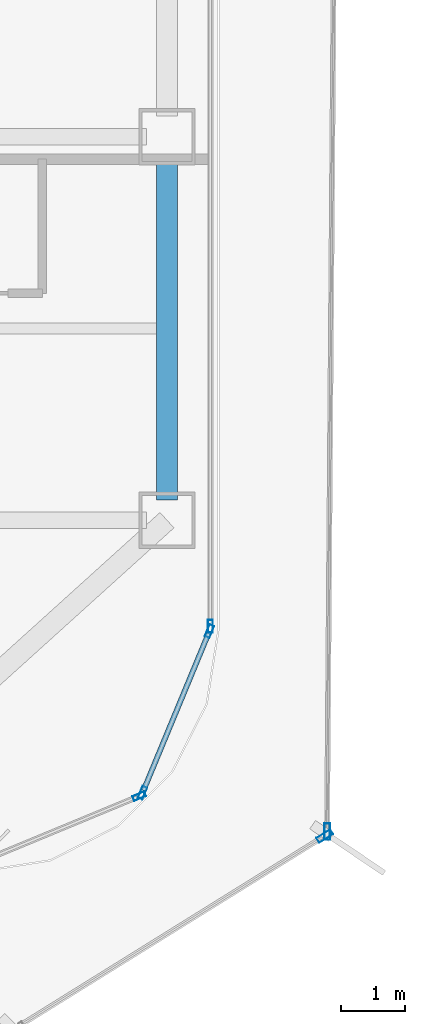
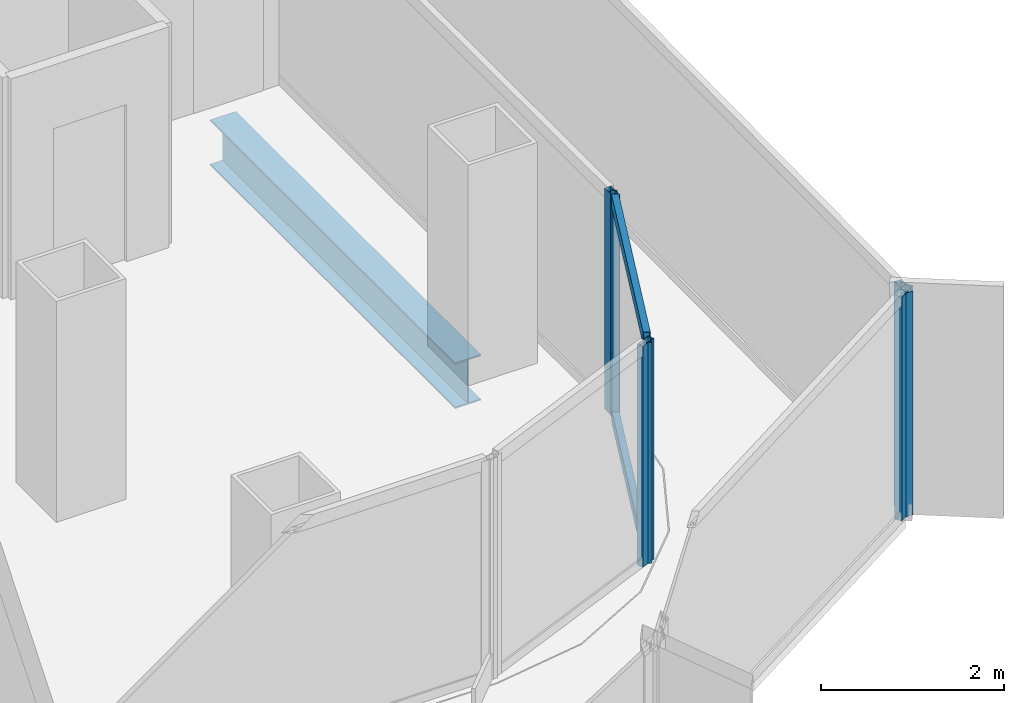
# One storey, part 8 of 21: 8 members, 1 beam, 5 elements without a shape of their own.
"""IFC4 building model written with IfcOpenShell, lengths in metres."""

from ifc_helpers import new_model, si_unit, direction, frame, origin, origin_2d, place, context, subcontext, project, spatial, hollow_rectangle, i_section, extrude, source, transform, mapped, material, layer, layer_set, material_profile, profile_set, type_object, element, aggregate, save


model = new_model("IFC4")

# Units and contexts
model_context = context("Model", 3, precision=1e-05, world=origin(), true_north=direction((0.0, 1.0)))
body_context = subcontext(model_context, "Body", "Model", "MODEL_VIEW")
ifc_project = project(units=[si_unit("LENGTHUNIT", "METRE"), si_unit("AREAUNIT", "SQUARE_METRE"), si_unit("VOLUMEUNIT", "CUBIC_METRE"), si_unit("PLANEANGLEUNIT", "RADIAN"), si_unit("MASSUNIT", "GRAM", prefix="KILO")], contexts=[model_context])

# Site, building, storey
site_placement = place(None, origin())
site = spatial("IfcSite", under=ifc_project, at=site_placement, CompositionType="ELEMENT")
building_placement = place(site_placement, origin())
building = spatial("IfcBuilding", under=site, at=building_placement, Name="Kolveth Station Tower", CompositionType="ELEMENT")
storey_placement = place(building_placement, frame((0.0, 0.0, 99.10009765625)))
storey = spatial("IfcBuildingStorey", under=building, at=storey_placement, Name="L26", CompositionType="ELEMENT", Elevation=99.10009765625)

# Beam
ifc_material_1 = material(Name="Steel S355", Category="steel")
ifc_material_profile_1 = material_profile(ifc_material_1, i_section(OverallWidth=0.323974609375, OverallDepth=0.611083984375, WebThickness=0.0126953125, FlangeThickness=0.01904296875, at=origin_2d()), Name="W610x155")
ifc_profile_set_1 = profile_set([ifc_material_profile_1], Name="Steel S355")
beam_type = type_object("IfcBeamType", Name="Beam_SP2", PredefinedType="SPANDREL", material=ifc_profile_set_1)
shared_shape_1 = source(origin(), body_context, "Body", "SweptSolid", [
    extrude(i_section(OverallWidth=0.323974609375, OverallDepth=0.611083984375, WebThickness=0.0126953125, FlangeThickness=0.01904296875, at=origin_2d()), origin(), (0.0, 0.0, 1.0), 5.35986328125),
])
beam_placement = place(storey_placement, frame((46.199951171875, 5.820068359375, -0.5556640625), z_axis=(0.0, 1.0, 0.0), x_axis=(-1.0, 0.0, 0.0)))
element("IfcBeam", 1, at=beam_placement, inside=storey, type_object=beam_type, Name="L26 Perimeter Spandrel BM-L26-PE-1", PredefinedType="SPANDREL", context=body_context, shape_type="MappedRepresentation", body=[
    mapped(shared_shape_1, transform((0.0, 0.0, 0.0), x_axis=(1.0, 0.0, 0.0), y_axis=(0.0, 1.0, 0.0), z_axis=(0.0, 0.0, 1.0), scale=1.0)),
])

# Curtain wall, member
ifc_material_2 = material(Name="Aluminium 6063-T6 and low-E dark glass", Category="aluminium")
ifc_layer_1 = layer(ifc_material_2, 0.18994140625)
ifc_layer_set_1 = layer_set([ifc_layer_1], Name="Aluminium 6063-T6 and low-E dark glass")
curtain_wall_type_1 = type_object("IfcCurtainWallType", Name="CurtainWall_CW-Z2", PredefinedType="NOTDEFINED", material=ifc_layer_set_1)
curtain_wall_1_placement = place(storey_placement, origin())
curtain_wall_1 = element("IfcCurtainWall", 2, at=curtain_wall_1_placement, inside=storey, type_object=curtain_wall_type_1, Name="L26 Inner Thermal Curtain Wall 1", PredefinedType="NOTDEFINED")
ifc_material_3 = material(Name="Black anodized aluminium 6063-T6", Category="aluminium")
ifc_material_profile_2 = material_profile(ifc_material_3, hollow_rectangle(XDim=0.080078125, YDim=0.199951171875, WallThickness=0.0048828125, at=origin_2d()), Name="ALU-80x200x5")
ifc_profile_set_2 = profile_set([ifc_material_profile_2], Name="Black anodized aluminium 6063-T6")
member_type_1 = type_object("IfcMemberType", Name="Mullion_ML2", PredefinedType="MULLION", material=ifc_profile_set_2)
shared_shape_2 = source(origin(), body_context, "Body", "SweptSolid", [
    extrude(hollow_rectangle(XDim=0.080078125, YDim=0.199951171875, WallThickness=0.0048828125, at=origin_2d()), origin(), (0.0, 0.0, 1.0), 2.949951171875),
])
member_1_placement = place(storey_placement, frame((45.76513671875, 1.182373046875, 0.0), z_axis=(0.0, 0.0, 1.0), x_axis=(-0.38266326998, 0.923887883787, 0.0)))
member_1 = element("IfcMember", 3, at=member_1_placement, type_object=member_type_1, Name="CW-Z2 mullion 2", PredefinedType="MULLION", context=body_context, shape_type="MappedRepresentation", body=[
    mapped(shared_shape_2, transform((0.0, 0.0, 0.0), x_axis=(1.0, 0.0, 0.0), y_axis=(0.0, 1.0, 0.0), z_axis=(0.0, 0.0, 1.0), scale=1.0)),
])
aggregate(curtain_wall_1, [member_1])

# Curtain wall, members
curtain_wall_2_placement = place(storey_placement, origin())
curtain_wall_2 = element("IfcCurtainWall", 4, at=curtain_wall_2_placement, inside=storey, type_object=curtain_wall_type_1, Name="L26 Inner Thermal Curtain Wall 2", PredefinedType="NOTDEFINED")
member_2_placement = place(storey_placement, frame((45.817626953125, 1.23486328125, 0.0), z_axis=(0.0, 0.0, 1.0), x_axis=(-0.923887883787, 0.38266326998, 0.0)))
member_2 = element("IfcMember", 5, at=member_2_placement, type_object=member_type_1, Name="CW-Z2 mullion 1", PredefinedType="MULLION", context=body_context, shape_type="MappedRepresentation", body=[
    mapped(shared_shape_2, transform((0.0, 0.0, 0.0), x_axis=(1.0, 0.0, 0.0), y_axis=(0.0, 1.0, 0.0), z_axis=(0.0, 0.0, 1.0), scale=1.0)),
])
member_3_placement = place(storey_placement, frame((46.86474609375, 3.762939453125, 0.0), z_axis=(0.0, 0.0, 1.0), x_axis=(-0.923887883787, 0.38266326998, 0.0)))
member_3 = element("IfcMember", 6, at=member_3_placement, type_object=member_type_1, Name="CW-Z2 mullion 2", PredefinedType="MULLION", context=body_context, shape_type="MappedRepresentation", body=[
    mapped(shared_shape_2, transform((0.0, 0.0, 0.0), x_axis=(1.0, 0.0, 0.0), y_axis=(0.0, 1.0, 0.0), z_axis=(0.0, 0.0, 1.0), scale=1.0)),
])

# Curtain wall, member
curtain_wall_3_placement = place(storey_placement, origin())
curtain_wall_3 = element("IfcCurtainWall", 7, at=curtain_wall_3_placement, inside=storey, type_object=curtain_wall_type_1, Name="L26 Inner Thermal Curtain Wall 3", PredefinedType="NOTDEFINED")
member_4_placement = place(storey_placement, frame((46.8798828125, 3.840087890625, 0.0), z_axis=(0.0, 0.0, 1.0), x_axis=(-1.0, 0.0, 0.0)))
member_4 = element("IfcMember", 8, at=member_4_placement, type_object=member_type_1, Name="CW-Z2 mullion 1", PredefinedType="MULLION", context=body_context, shape_type="MappedRepresentation", body=[
    mapped(shared_shape_2, transform((0.0, 0.0, 0.0), x_axis=(1.0, 0.0, 0.0), y_axis=(0.0, 1.0, 0.0), z_axis=(0.0, 0.0, 1.0), scale=1.0)),
])
aggregate(curtain_wall_3, [member_4])

# Member
ifc_material_profile_3 = material_profile(ifc_material_3, hollow_rectangle(XDim=0.080078125, YDim=0.169921875, WallThickness=0.0048828125, at=origin_2d()), Name="ALU-80x170x5")
ifc_profile_set_3 = profile_set([ifc_material_profile_3], Name="Black anodized aluminium 6063-T6")
member_type_2 = type_object("IfcMemberType", Name="Transom_TR2", PredefinedType="USERDEFINED", material=ifc_profile_set_3)
shared_shape_3 = source(origin(), body_context, "Body", "SweptSolid", [
    extrude(hollow_rectangle(XDim=0.080078125, YDim=0.169921875, WallThickness=0.0048828125, at=origin_2d()), origin(), (0.0, 0.0, 1.0), 2.656494140625),
])
member_5_placement = place(storey_placement, frame((45.832763671875, 1.271728515625, 0.039794921875), z_axis=(0.382676455475, 0.923882422403, 0.0), x_axis=(-0.923882422403, 0.382676455475, 0.0)))
member_5 = element("IfcMember", 9, at=member_5_placement, type_object=member_type_2, Name="CW-Z2 transom 1.1", ObjectType="TRANSOM", PredefinedType="USERDEFINED", context=body_context, shape_type="MappedRepresentation", body=[
    mapped(shared_shape_3, transform((0.0, 0.0, 0.0), x_axis=(1.0, 0.0, 0.0), y_axis=(0.0, 1.0, 0.0), z_axis=(0.0, 0.0, 1.0), scale=1.0)),
])

member_6_placement = place(storey_placement, frame((45.832763671875, 1.271728515625, 2.909912109375), z_axis=(0.382676455475, 0.923882422403, 0.0), x_axis=(-0.923882422403, 0.382676455475, 0.0)))
member_6 = element("IfcMember", 10, at=member_6_placement, type_object=member_type_2, Name="CW-Z2 transom 1.2", ObjectType="TRANSOM", PredefinedType="USERDEFINED", context=body_context, shape_type="MappedRepresentation", body=[
    mapped(shared_shape_3, transform((0.0, 0.0, 0.0), x_axis=(1.0, 0.0, 0.0), y_axis=(0.0, 1.0, 0.0), z_axis=(0.0, 0.0, 1.0), scale=1.0)),
])

aggregate(curtain_wall_2, [member_2, member_3, member_5, member_6])

# Curtain wall, member
ifc_material_4 = material(Name="Black anodized aluminium 6063-T6 and dark solar glass", Category="aluminium")
ifc_layer_2 = layer(ifc_material_4, 0.159912109375)
ifc_layer_set_2 = layer_set([ifc_layer_2], Name="Black anodized aluminium 6063-T6 and dark solar glass")
curtain_wall_type_2 = type_object("IfcCurtainWallType", Name="OUTER SKIN CW-OS", PredefinedType="NOTDEFINED", material=ifc_layer_set_2)
curtain_wall_4_placement = place(storey_placement, origin())
curtain_wall_4 = element("IfcCurtainWall", 11, at=curtain_wall_4_placement, inside=storey, type_object=curtain_wall_type_2, Name="L26 Outer Ventilated Skin Curtain Wall 1", PredefinedType="NOTDEFINED")
ifc_material_profile_4 = material_profile(ifc_material_3, hollow_rectangle(XDim=0.090087890625, YDim=0.260009765625, WallThickness=0.0048828125, at=origin_2d()), Name="ALU-90x260x5")
ifc_profile_set_4 = profile_set([ifc_material_profile_4], Name="Black anodized aluminium 6063-T6")
member_type_3 = type_object("IfcMemberType", Name="FIN MULLION ML-OS", PredefinedType="MULLION", material=ifc_profile_set_4)
shared_shape_4 = source(origin(), body_context, "Body", "SweptSolid", [
    extrude(hollow_rectangle(XDim=0.090087890625, YDim=0.260009765625, WallThickness=0.0048828125, at=origin_2d()), origin(), (0.0, 0.0, 1.0), 2.989990234375),
])
member_7_placement = place(storey_placement, frame((48.668701171875, 0.5595703125, 0.0), z_axis=(0.0, 0.0, 1.0), x_axis=(-0.528114359078, 0.849173258962, 0.0)))
member_7 = element("IfcMember", 12, at=member_7_placement, type_object=member_type_3, Name="CW-OS mullion 2", PredefinedType="MULLION", context=body_context, shape_type="MappedRepresentation", body=[
    mapped(shared_shape_4, transform((0.0, 0.0, 0.0), x_axis=(1.0, 0.0, 0.0), y_axis=(0.0, 1.0, 0.0), z_axis=(0.0, 0.0, 1.0), scale=1.0)),
])
aggregate(curtain_wall_4, [member_7])

curtain_wall_5_placement = place(storey_placement, origin())
curtain_wall_5 = element("IfcCurtainWall", 13, at=curtain_wall_5_placement, inside=storey, type_object=curtain_wall_type_2, Name="L26 Outer Ventilated Skin Curtain Wall 2", PredefinedType="NOTDEFINED")
member_8_placement = place(storey_placement, frame((48.707275390625, 0.62841796875, 0.0), z_axis=(0.0, 0.0, 1.0), x_axis=(-0.999970191578, 0.007721136968, 0.0)))
member_8 = element("IfcMember", 14, at=member_8_placement, type_object=member_type_3, Name="CW-OS mullion 1", PredefinedType="MULLION", context=body_context, shape_type="MappedRepresentation", body=[
    mapped(shared_shape_4, transform((0.0, 0.0, 0.0), x_axis=(1.0, 0.0, 0.0), y_axis=(0.0, 1.0, 0.0), z_axis=(0.0, 0.0, 1.0), scale=1.0)),
])
aggregate(curtain_wall_5, [member_8])

save(model, "model.ifc")
